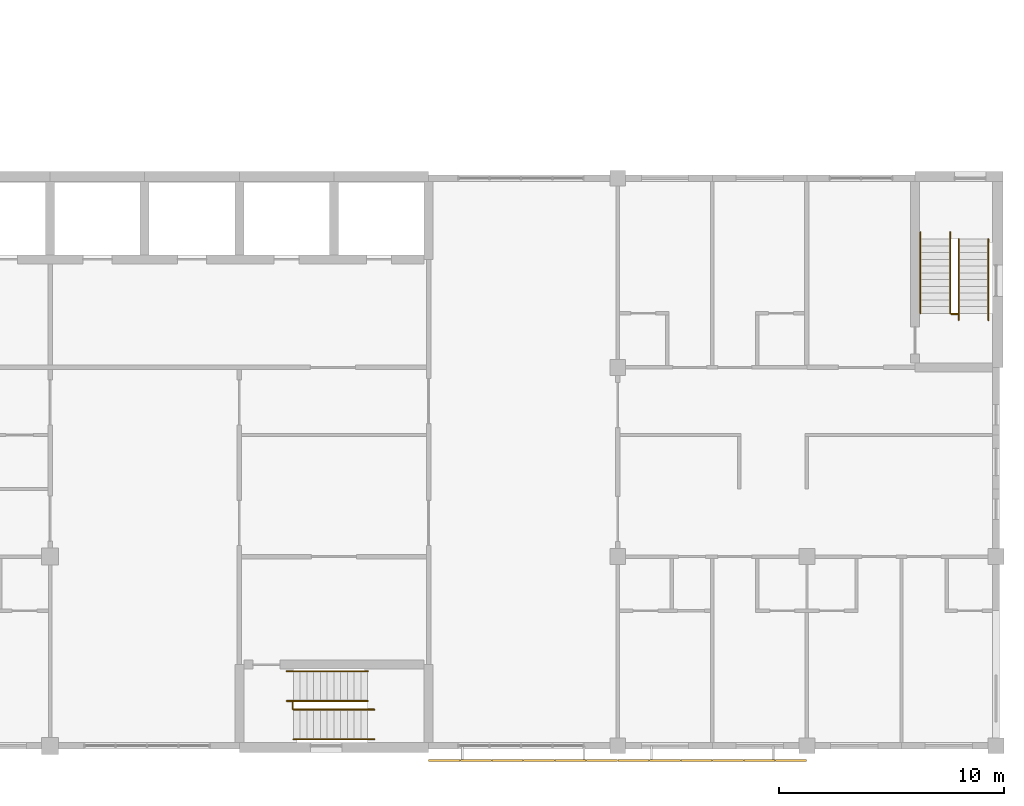
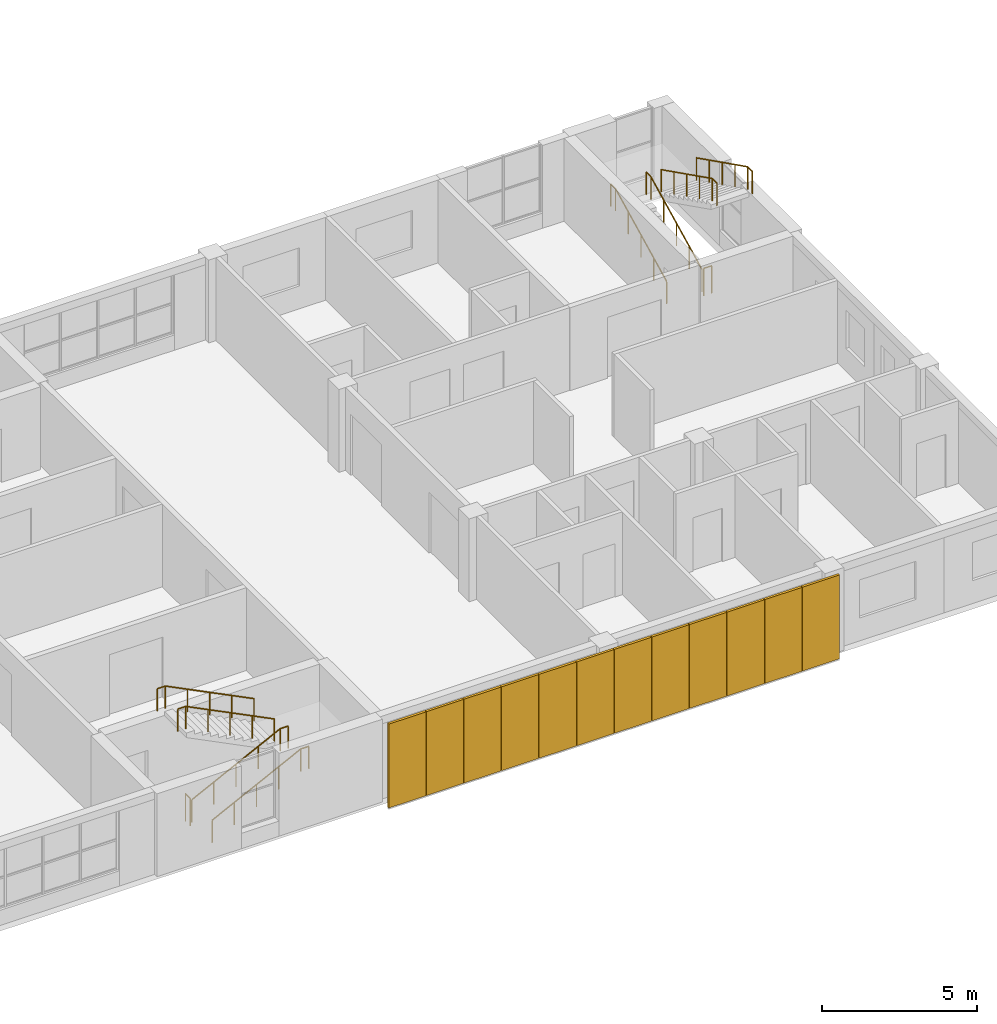
# One storey, part 46 of 46: 12 shading devices, 10 railings.
"""IFC4 building model written with IfcOpenShell, lengths in metres."""

from ifc_helpers import new_model, si_unit, direction, frame, origin, origin_2d, place, context, subcontext, project, spatial, rectangle, circle, extrude, material, layer, layer_set, type_object, element, save


model = new_model("IFC4")

# Units and contexts
model_context = context("Model", 3, precision=1e-05, world=origin(), true_north=direction((0.0, 1.0)))
body_context = subcontext(model_context, "Body", "Model", "MODEL_VIEW")
ifc_project = project(units=[si_unit("LENGTHUNIT", "METRE"), si_unit("AREAUNIT", "SQUARE_METRE"), si_unit("VOLUMEUNIT", "CUBIC_METRE"), si_unit("PLANEANGLEUNIT", "RADIAN"), si_unit("MASSUNIT", "GRAM", prefix="KILO")], contexts=[model_context])

# Site, building, storey
site_placement = place(None, origin())
site = spatial("IfcSite", under=ifc_project, at=site_placement, CompositionType="ELEMENT")
building_placement = place(site_placement, origin())
building = spatial("IfcBuilding", under=site, at=building_placement, Name="Yavir Park General Hospital", CompositionType="ELEMENT")
storey_placement = place(building_placement, frame((0.0, 0.0, 18.89990234375)))
storey = spatial("IfcBuildingStorey", under=building, at=storey_placement, Name="L04", CompositionType="ELEMENT", Elevation=18.89990234375)

# Shading devices
ifc_material_1 = material(Name="Precast concrete perforated block panel", Category="concrete")
ifc_layer = layer(ifc_material_1, 0.092041015625)
ifc_layer_set = layer_set([ifc_layer], Name="Precast concrete perforated block panel")
shading_device_type = type_object("IfcShadingDeviceType", Name="Precast breeze-block screen panel 1380 x 3300 x 92", PredefinedType="JALOUSIE", material=ifc_layer_set)
for number, where, z_axis, x_axis, name in (
    (1, (143.5, -0.64990234375, 0.0), (0.0, 0.0, 1.0), (1.0, 0.0, 0.0), "Screen panel S18.2.1"),
    (2, (144.89990234375, -0.64990234375, 0.0), (0.0, 0.0, 1.0), (1.0, 0.0, 0.0), "Screen panel S18.2.2"),
    (3, (146.300048828125, -0.64990234375, 0.0), (0.0, 0.0, 1.0), (1.0, 0.0, 0.0), "Screen panel S18.2.3"),
    (4, (147.699951171875, -0.64990234375, 0.0), (0.0, 0.0, 1.0), (1.0, 0.0, 0.0), "Screen panel S18.2.4"),
    (5, (149.10009765625, -0.64990234375, 0.0), (0.0, 0.0, 1.0), (1.0, 0.0, 0.0), "Screen panel S18.2.5"),
    (6, (150.5, -0.64990234375, 0.0), (0.0, 0.0, 1.0), (1.0, 0.0, 0.0), "Screen panel S18.2.6"),
    (7, (151.89990234375, -0.64990234375, 0.0), (0.0, 0.0, 1.0), (1.0, 0.0, 0.0), "Screen panel S19.2.1"),
    (8, (153.300048828125, -0.64990234375, 0.0), (0.0, 0.0, 1.0), (1.0, 0.0, 0.0), "Screen panel S19.2.2"),
    (9, (154.699951171875, -0.64990234375, 0.0), (0.0, 0.0, 1.0), (1.0, 0.0, 0.0), "Screen panel S19.2.3"),
    (10, (156.10009765625, -0.64990234375, 0.0), (0.0, 0.0, 1.0), (1.0, 0.0, 0.0), "Screen panel S19.2.4"),
    (11, (157.5, -0.64990234375, 0.0), (0.0, 0.0, 1.0), (1.0, 0.0, 0.0), "Screen panel S19.2.5"),
    (12, (158.89990234375, -0.64990234375, 0.0), (0.0, 0.0, 1.0), (1.0, 0.0, 0.0), "Screen panel S19.2.6"),
):
    element("IfcShadingDevice", number, at=place(storey_placement, frame(where, z_axis=z_axis, x_axis=x_axis)), inside=storey, type_object=shading_device_type, Name=name, PredefinedType="JALOUSIE", context=body_context, shape_type="SweptSolid", body=[
        extrude(rectangle(XDim=1.3798828125, YDim=0.092041015625, at=origin_2d()), origin(), (0.0, 0.0, 1.0), 3.300048828125),
    ])

# Railings
ifc_material_2 = material(Name="Steel balustrade with infill rods", Category="steel")
railing_type_1 = type_object("IfcRailingType", Name="Stair guard, steel balustrade 1100 mm", PredefinedType="GUARDRAIL", material=ifc_material_2)
railing_1_placement = place(storey_placement, frame((136.77001953125, 1.64990234375, 0.0)))
element("IfcRailing", 13, at=railing_1_placement, inside=storey, type_object=railing_type_1, Name="Stair well guard SU5 L04", PredefinedType="GUARDRAIL", context=body_context, shape_type="SweptSolid", body=[
    extrude(circle(Radius=0.02392578125, at=origin_2d()), frame((0.0, 0.0, 1.076171875), z_axis=(0.0, 1.0, 0.0), x_axis=(-1.0, 0.0, 0.0)), (0.0, 0.0, 1.0), 0.300048828125),
    extrude(circle(Radius=0.02099609375, at=origin_2d()), origin(), (0.0, 0.0, 1.0), 1.052001953125),
    extrude(circle(Radius=0.02099609375, at=origin_2d()), frame((0.0, 0.300048828125, 0.0)), (0.0, 0.0, 1.0), 1.052001953125),
])
railing_2_placement = place(storey_placement, frame((166.0, 19.169921875, 0.0)))
element("IfcRailing", 14, at=railing_2_placement, inside=storey, type_object=railing_type_1, Name="Stair well guard SU6 L04", PredefinedType="GUARDRAIL", context=body_context, shape_type="SweptSolid", body=[
    extrude(circle(Radius=0.02392578125, at=origin_2d()), frame((0.0, 0.0, 1.076171875), z_axis=(1.0, 0.0, 0.0), x_axis=(0.0, 1.0, 0.0)), (0.0, 0.0, 1.0), 0.300048828125),
    extrude(circle(Radius=0.02099609375, at=origin_2d()), origin(), (0.0, 0.0, 1.0), 1.052001953125),
    extrude(circle(Radius=0.02099609375, at=origin_2d()), frame((0.300048828125, 0.0, 0.0)), (0.0, 0.0, 1.0), 1.052001953125),
])
ifc_material_3 = material(Name="Stainless steel tube 48 mm", Category="steel")
railing_type_2 = type_object("IfcRailingType", Name="Stair handrail, steel tube, 900 mm above the nosings", PredefinedType="HANDRAIL", material=ifc_material_3)
for number, where, name in (
    (15, (136.800048828125, 0.2900390625, 0.150146484375), "Handrail SU5 L04 1"),
    (16, (136.800048828125, 1.610107421875, 0.150146484375), "Handrail SU5 L04 2"),
):
    element("IfcRailing", number, at=place(storey_placement, frame(where)), inside=storey, type_object=railing_type_2, Name=name, PredefinedType="HANDRAIL", context=body_context, shape_type="SweptSolid", body=[
        extrude(circle(Radius=0.02392578125, at=origin_2d()), frame((0.0, 0.0, 0.8759765625), z_axis=(0.894440424912, 0.0, 0.447187126696), x_axis=(0.0, 1.0, 0.0)), (0.0, 0.0, 1.0), 3.689453125),
        extrude(circle(Radius=0.02392578125, at=origin_2d()), frame((3.300048828125, 0.0, 2.52587890625), z_axis=(1.0, 0.0, 0.0), x_axis=(0.0, 1.0, 0.0)), (0.0, 0.0, 1.0), 0.2998046875),
        extrude(circle(Radius=0.02099609375, at=origin_2d()), origin(), (0.0, 0.0, 1.0), 0.851806640625),
        extrude(circle(Radius=0.02099609375, at=origin_2d()), frame((0.824951171875, 0.0, 0.41259765625)), (0.0, 0.0, 1.0), 0.851806640625),
        extrude(circle(Radius=0.02099609375, at=origin_2d()), frame((1.64990234375, 0.0, 0.824951171875)), (0.0, 0.0, 1.0), 0.851806640625),
        extrude(circle(Radius=0.02099609375, at=origin_2d()), frame((2.47509765625, 0.0, 1.2373046875)), (0.0, 0.0, 1.0), 0.851806640625),
        extrude(circle(Radius=0.02099609375, at=origin_2d()), frame((3.300048828125, 0.0, 1.64990234375)), (0.0, 0.0, 1.0), 0.851806640625),
        extrude(circle(Radius=0.02099609375, at=origin_2d()), frame((3.599853515625, 0.0, 1.64990234375)), (0.0, 0.0, 1.0), 0.851806640625),
    ])
for number, where, name in (
    (17, (140.10009765625, 3.31005859375, 1.9501953125), "Handrail SU5 L04 3"),
    (18, (140.10009765625, 1.989990234375, 1.9501953125), "Handrail SU5 L04 4"),
):
    element("IfcRailing", number, at=place(storey_placement, frame(where)), inside=storey, type_object=railing_type_2, Name=name, PredefinedType="HANDRAIL", context=body_context, shape_type="SweptSolid", body=[
        extrude(circle(Radius=0.02392578125, at=origin_2d()), frame((0.0, 0.0, 0.8759765625), z_axis=(-0.894440424912, 0.0, 0.447187126696), x_axis=(0.0, -1.0, 0.0)), (0.0, 0.0, 1.0), 3.689453125),
        extrude(circle(Radius=0.02392578125, at=origin_2d()), frame((-3.300048828125, 0.0, 2.52587890625), z_axis=(-1.0, 0.0, 0.0), x_axis=(0.0, -1.0, 0.0)), (0.0, 0.0, 1.0), 0.300048828125),
        extrude(circle(Radius=0.02099609375, at=origin_2d()), origin(), (0.0, 0.0, 1.0), 0.851806640625),
        extrude(circle(Radius=0.02099609375, at=origin_2d()), frame((-0.824951171875, 0.0, 0.41259765625)), (0.0, 0.0, 1.0), 0.851806640625),
        extrude(circle(Radius=0.02099609375, at=origin_2d()), frame((-1.64990234375, 0.0, 0.824951171875)), (0.0, 0.0, 1.0), 0.851806640625),
        extrude(circle(Radius=0.02099609375, at=origin_2d()), frame((-2.47509765625, 0.0, 1.2373046875)), (0.0, 0.0, 1.0), 0.851806640625),
        extrude(circle(Radius=0.02099609375, at=origin_2d()), frame((-3.300048828125, 0.0, 1.64990234375)), (0.0, 0.0, 1.0), 0.851806640625),
        extrude(circle(Radius=0.02099609375, at=origin_2d()), frame((-3.60009765625, 0.0, 1.64990234375)), (0.0, 0.0, 1.0), 0.851806640625),
    ])
for number, where, name in (
    (19, (164.639892578125, 19.199951171875, 0.150146484375), "Handrail SU6 L04 1"),
    (20, (165.9599609375, 19.199951171875, 0.150146484375), "Handrail SU6 L04 2"),
):
    element("IfcRailing", number, at=place(storey_placement, frame(where)), inside=storey, type_object=railing_type_2, Name=name, PredefinedType="HANDRAIL", context=body_context, shape_type="SweptSolid", body=[
        extrude(circle(Radius=0.02392578125, at=origin_2d()), frame((0.0, 0.0, 0.8759765625), z_axis=(0.0, 0.894440424912, 0.447187126696), x_axis=(-1.0, 0.0, 0.0)), (0.0, 0.0, 1.0), 3.689453125),
        extrude(circle(Radius=0.02392578125, at=origin_2d()), frame((0.0, 3.300048828125, 2.52587890625), z_axis=(0.0, 1.0, 0.0), x_axis=(-1.0, 0.0, 0.0)), (0.0, 0.0, 1.0), 0.300048828125),
        extrude(circle(Radius=0.02099609375, at=origin_2d()), origin(), (0.0, 0.0, 1.0), 0.851806640625),
        extrude(circle(Radius=0.02099609375, at=origin_2d()), frame((0.0, 0.824951171875, 0.41259765625)), (0.0, 0.0, 1.0), 0.851806640625),
        extrude(circle(Radius=0.02099609375, at=origin_2d()), frame((0.0, 1.64990234375, 0.824951171875)), (0.0, 0.0, 1.0), 0.851806640625),
        extrude(circle(Radius=0.02099609375, at=origin_2d()), frame((0.0, 2.47509765625, 1.2373046875)), (0.0, 0.0, 1.0), 0.851806640625),
        extrude(circle(Radius=0.02099609375, at=origin_2d()), frame((0.0, 3.300048828125, 1.64990234375)), (0.0, 0.0, 1.0), 0.851806640625),
        extrude(circle(Radius=0.02099609375, at=origin_2d()), frame((0.0, 3.60009765625, 1.64990234375)), (0.0, 0.0, 1.0), 0.851806640625),
    ])
for number, where, name in (
    (21, (167.659912109375, 22.5, 1.9501953125), "Handrail SU6 L04 3"),
    (22, (166.340087890625, 22.5, 1.9501953125), "Handrail SU6 L04 4"),
):
    element("IfcRailing", number, at=place(storey_placement, frame(where)), inside=storey, type_object=railing_type_2, Name=name, PredefinedType="HANDRAIL", context=body_context, shape_type="SweptSolid", body=[
        extrude(circle(Radius=0.02392578125, at=origin_2d()), frame((0.0, 0.0, 0.8759765625), z_axis=(0.0, -0.894440424912, 0.447187126696), x_axis=(1.0, 0.0, 0.0)), (0.0, 0.0, 1.0), 3.689453125),
        extrude(circle(Radius=0.02392578125, at=origin_2d()), frame((0.0, -3.300048828125, 2.52587890625), z_axis=(0.0, -1.0, 0.0), x_axis=(1.0, 0.0, 0.0)), (0.0, 0.0, 1.0), 0.300048828125),
        extrude(circle(Radius=0.02099609375, at=origin_2d()), origin(), (0.0, 0.0, 1.0), 0.851806640625),
        extrude(circle(Radius=0.02099609375, at=origin_2d()), frame((0.0, -0.824951171875, 0.41259765625)), (0.0, 0.0, 1.0), 0.851806640625),
        extrude(circle(Radius=0.02099609375, at=origin_2d()), frame((0.0, -1.64990234375, 0.824951171875)), (0.0, 0.0, 1.0), 0.851806640625),
        extrude(circle(Radius=0.02099609375, at=origin_2d()), frame((0.0, -2.47509765625, 1.2373046875)), (0.0, 0.0, 1.0), 0.851806640625),
        extrude(circle(Radius=0.02099609375, at=origin_2d()), frame((0.0, -3.300048828125, 1.64990234375)), (0.0, 0.0, 1.0), 0.851806640625),
        extrude(circle(Radius=0.02099609375, at=origin_2d()), frame((0.0, -3.60009765625, 1.64990234375)), (0.0, 0.0, 1.0), 0.851806640625),
    ])

save(model, "model.ifc")
